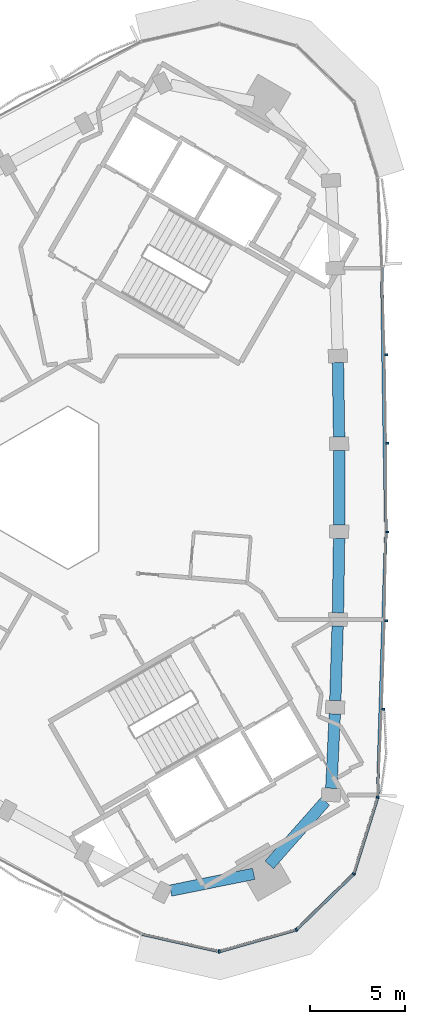
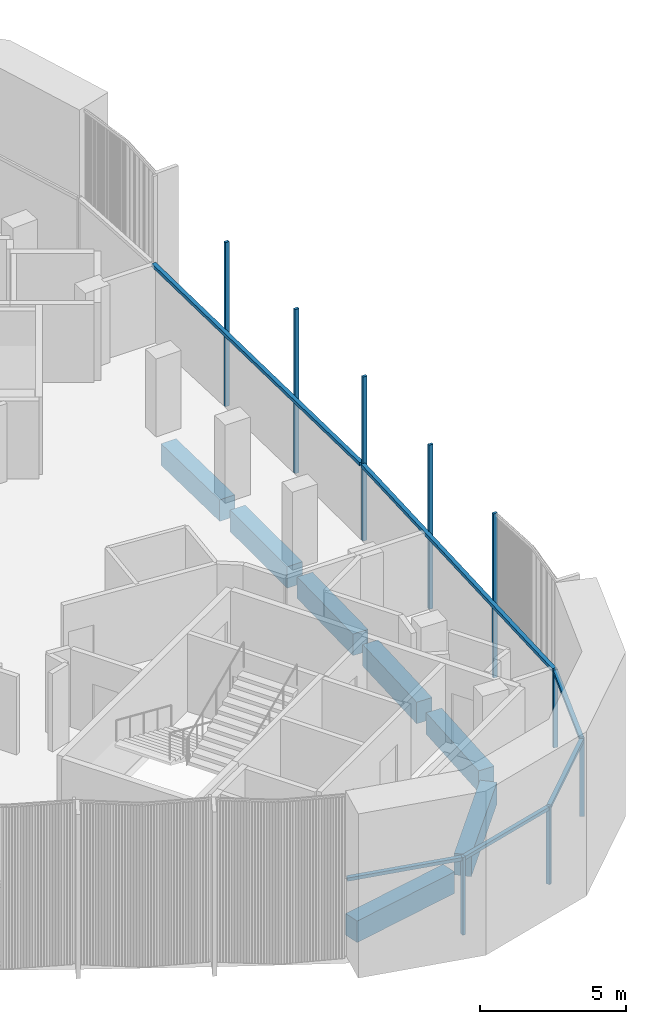
# One storey, part 3 of 12: 15 members, 7 beams, 2 elements without a shape of their own.
"""IFC4 building model written with IfcOpenShell, lengths in metres."""

from ifc_helpers import new_model, si_unit, direction, frame, origin, origin_2d, place, context, subcontext, project, spatial, rectangle, extrude, material, material_profile, profile_set, type_object, element, aggregate, save


model = new_model("IFC4")

# Units and contexts
model_context = context("Model", 3, precision=1e-05, world=origin(), true_north=direction((0.0, 1.0)))
body_context = subcontext(model_context, "Body", "Model", "MODEL_VIEW")
ifc_project = project(units=[si_unit("LENGTHUNIT", "METRE"), si_unit("AREAUNIT", "SQUARE_METRE"), si_unit("VOLUMEUNIT", "CUBIC_METRE"), si_unit("PLANEANGLEUNIT", "RADIAN"), si_unit("MASSUNIT", "GRAM", prefix="KILO")], contexts=[model_context])

# Site, building, storey
site_placement = place(None, origin())
site = spatial("IfcSite", under=ifc_project, at=site_placement, CompositionType="ELEMENT")
building_placement = place(site_placement, origin())
building = spatial("IfcBuilding", under=site, at=building_placement, Name="Tamra Quay Hotel Tower", CompositionType="ELEMENT")
storey_placement = place(building_placement, frame((0.0, 0.0, 273.0)))
storey = spatial("IfcBuildingStorey", under=building, at=storey_placement, Name="L69", CompositionType="ELEMENT", Elevation=273.0)

# Curtain wall, members
ifc_material_1 = material(Name="Aluminium 6063 anodised dark grey", Category="aluminium")
curtain_wall_type_1 = type_object("IfcCurtainWallType", Name="CW1 CURTAIN WALL", PredefinedType="NOTDEFINED", material=ifc_material_1)
curtain_wall_1_placement = place(storey_placement, origin())
curtain_wall_1 = element("IfcCurtainWall", 1, at=curtain_wall_1_placement, inside=storey, type_object=curtain_wall_type_1, Name="CW1 east face L69", PredefinedType="NOTDEFINED")
ifc_material_profile_1 = material_profile(ifc_material_1, rectangle(XDim=0.159912109375, YDim=0.10009765625, at=origin_2d()), Name="MULLION 100X160")
ifc_profile_set_1 = profile_set([ifc_material_profile_1], Name="Aluminium 6063 anodised dark grey")
member_type_1 = type_object("IfcMemberType", Name="MULLION CW1 Z6", PredefinedType="MULLION", material=ifc_profile_set_1)
member_1_placement = place(storey_placement, frame((17.648681640625, -16.25146484375, 0.0), z_axis=(0.0, 0.0, 1.0), x_axis=(0.984739923452, -0.174032419852, 0.0)))
member_1 = element("IfcMember", 2, at=member_1_placement, type_object=member_type_1, Name="CW1 mullion L69.E.1", PredefinedType="MULLION", context=body_context, shape_type="SweptSolid", body=[
    extrude(rectangle(XDim=0.159912109375, YDim=0.10009765625, at=origin_2d()), origin(), (0.0, 0.0, 1.0), 3.25),
])
member_2_placement = place(storey_placement, frame((17.9462890625, -11.613037109375, 0.0), z_axis=(0.0, 0.0, 1.0), x_axis=(0.999237934682, -0.039032677233, 0.0)))
member_2 = element("IfcMember", 3, at=member_2_placement, type_object=member_type_1, Name="CW1 mullion L69.E.2", PredefinedType="MULLION", context=body_context, shape_type="SweptSolid", body=[
    extrude(rectangle(XDim=0.159912109375, YDim=0.10009765625, at=origin_2d()), origin(), (0.0, 0.0, 1.0), 6.85009765625),
])
member_3_placement = place(storey_placement, frame((18.09130859375, -6.969970703125, 0.0), z_axis=(0.0, 0.0, 1.0), x_axis=(0.999725291112, -0.023438052626, 0.0)))
member_3 = element("IfcMember", 4, at=member_3_placement, type_object=member_type_1, Name="CW1 mullion L69.E.3", PredefinedType="MULLION", context=body_context, shape_type="SweptSolid", body=[
    extrude(rectangle(XDim=0.159912109375, YDim=0.10009765625, at=origin_2d()), origin(), (0.0, 0.0, 1.0), 6.85009765625),
])
member_4_placement = place(storey_placement, frame((18.1640625, -2.323486328125, 0.0), z_axis=(0.0, 0.0, 1.0), x_axis=(0.999969449151, -0.007816697755, 0.0)))
member_4 = element("IfcMember", 5, at=member_4_placement, type_object=member_type_1, Name="CW1 mullion L69.E.4", PredefinedType="MULLION", context=body_context, shape_type="SweptSolid", body=[
    extrude(rectangle(XDim=0.159912109375, YDim=0.10009765625, at=origin_2d()), origin(), (0.0, 0.0, 1.0), 6.85009765625),
])
member_5_placement = place(storey_placement, frame((18.1640625, 2.323486328125, 0.0), z_axis=(0.0, 0.0, 1.0), x_axis=(0.999969449151, 0.007816697755, 0.0)))
member_5 = element("IfcMember", 6, at=member_5_placement, type_object=member_type_1, Name="CW1 mullion L69.E.5", PredefinedType="MULLION", context=body_context, shape_type="SweptSolid", body=[
    extrude(rectangle(XDim=0.159912109375, YDim=0.10009765625, at=origin_2d()), origin(), (0.0, 0.0, 1.0), 6.85009765625),
])
member_6_placement = place(storey_placement, frame((18.09130859375, 6.969970703125, 0.0), z_axis=(0.0, 0.0, 1.0), x_axis=(0.999725291112, 0.023438052626, 0.0)))
member_6 = element("IfcMember", 7, at=member_6_placement, type_object=member_type_1, Name="CW1 mullion L69.E.6", PredefinedType="MULLION", context=body_context, shape_type="SweptSolid", body=[
    extrude(rectangle(XDim=0.159912109375, YDim=0.10009765625, at=origin_2d()), origin(), (0.0, 0.0, 1.0), 6.85009765625),
])

curtain_wall_type_2 = type_object("IfcCurtainWallType", Name="CW3 CURTAIN WALL", PredefinedType="NOTDEFINED", material=ifc_material_1)
curtain_wall_2_placement = place(storey_placement, origin())
curtain_wall_2 = element("IfcCurtainWall", 8, at=curtain_wall_2_placement, inside=storey, type_object=curtain_wall_type_2, Name="CW3 south-west face L69", PredefinedType="NOTDEFINED")
ifc_material_profile_2 = material_profile(ifc_material_1, rectangle(XDim=0.159912109375, YDim=0.10009765625, at=origin_2d()), Name="MULLION 100X160")
ifc_profile_set_2 = profile_set([ifc_material_profile_2], Name="Aluminium 6063 anodised dark grey")
member_type_2 = type_object("IfcMemberType", Name="MULLION CW3 Z6", PredefinedType="MULLION", material=ifc_profile_set_2)
member_7_placement = place(storey_placement, frame((9.346435546875, -24.32861328125, 0.0), z_axis=(0.0, 0.0, 1.0), x_axis=(0.027468865497, -0.999622659521, 0.0)))
member_7 = element("IfcMember", 9, at=member_7_placement, type_object=member_type_2, Name="CW3 mullion L69.SW.9", PredefinedType="MULLION", context=body_context, shape_type="SweptSolid", body=[
    extrude(rectangle(XDim=0.159912109375, YDim=0.10009765625, at=origin_2d()), origin(), (0.0, 0.0, 1.0), 3.25),
])
member_8_placement = place(storey_placement, frame((13.38671875, -23.1865234375, 0.0), z_axis=(0.0, 0.0, 1.0), x_axis=(0.5, -0.866025403784, 0.0)))
member_8 = element("IfcMember", 10, at=member_8_placement, type_object=member_type_2, Name="CW3 mullion L69.SW.10", PredefinedType="MULLION", context=body_context, shape_type="SweptSolid", body=[
    extrude(rectangle(XDim=0.159912109375, YDim=0.10009765625, at=origin_2d()), origin(), (0.0, 0.0, 1.0), 3.25),
])
member_9_placement = place(storey_placement, frame((16.39599609375, -20.2587890625, 0.0), z_axis=(0.0, 0.0, 1.0), x_axis=(0.851964184595, -0.523600065094, 0.0)))
member_9 = element("IfcMember", 11, at=member_9_placement, type_object=member_type_2, Name="CW3 mullion L69.SW.11", PredefinedType="MULLION", context=body_context, shape_type="SweptSolid", body=[
    extrude(rectangle(XDim=0.159912109375, YDim=0.10009765625, at=origin_2d()), origin(), (0.0, 0.0, 1.0), 3.25),
])

# Beams
ifc_material_2 = material(Name="Concrete M60", Category="concrete")
ifc_material_profile_3 = material_profile(ifc_material_2, rectangle(XDim=0.60009765625, YDim=0.89990234375, at=origin_2d()), Name="SPANDREL BEAM RC 600x900")
ifc_profile_set_3 = profile_set([ifc_material_profile_3], Name="Concrete M60")
beam_type = type_object("IfcBeamType", Name="SPANDREL BEAM RC 600x900", PredefinedType="SPANDREL", material=ifc_profile_set_3)
beam_1_placement = place(storey_placement, frame((15.218994140625, -15.767333984375, -0.800048828125), z_axis=(0.04680507522, 0.998904041905, 0.0), x_axis=(-0.998904041905, 0.04680507522, 0.0)))
element("IfcBeam", 12, at=beam_1_placement, inside=storey, type_object=beam_type, Name="BM-SP6-000-L69", PredefinedType="SPANDREL", context=body_context, shape_type="SweptSolid", body=[
    extrude(rectangle(XDim=0.60009765625, YDim=0.89990234375, at=origin_2d()), origin(), (0.0, 0.0, 1.0), 3.906982421875),
])
beam_2_placement = place(storey_placement, frame((15.42919921875, -11.165283203125, -0.800048828125), z_axis=(0.031240604276, 0.999511893198, 0.0), x_axis=(-0.999511893198, 0.031240604276, 0.0)))
element("IfcBeam", 13, at=beam_2_placement, inside=storey, type_object=beam_type, Name="BM-SP6-001-L69", PredefinedType="SPANDREL", context=body_context, shape_type="SweptSolid", body=[
    extrude(rectangle(XDim=0.60009765625, YDim=0.89990234375, at=origin_2d()), origin(), (0.0, 0.0, 1.0), 3.907470703125),
])
beam_3_placement = place(storey_placement, frame((15.567626953125, -6.559814453125, -0.800048828125), z_axis=(0.015623093001, 0.999877952035, 0.0), x_axis=(-0.999877952035, 0.015623093001, 0.0)))
element("IfcBeam", 14, at=beam_3_placement, inside=storey, type_object=beam_type, Name="BM-SP6-002-L69", PredefinedType="SPANDREL", context=body_context, shape_type="SweptSolid", body=[
    extrude(rectangle(XDim=0.60009765625, YDim=0.89990234375, at=origin_2d()), origin(), (0.0, 0.0, 1.0), 3.90673828125),
])
beam_4_placement = place(storey_placement, frame((15.634033203125, -1.95361328125, -0.800048828125), z_axis=(0.0, 1.0, 0.0), x_axis=(-1.0, 0.0, 0.0)))
element("IfcBeam", 15, at=beam_4_placement, inside=storey, type_object=beam_type, Name="BM-SP6-003-L69", PredefinedType="SPANDREL", context=body_context, shape_type="SweptSolid", body=[
    extrude(rectangle(XDim=0.60009765625, YDim=0.89990234375, at=origin_2d()), origin(), (0.0, 0.0, 1.0), 3.9072265625),
])
beam_5_placement = place(storey_placement, frame((15.628662109375, 2.653564453125, -0.800048828125), z_axis=(-0.015623093001, 0.999877952035, 0.0), x_axis=(-0.999877952035, -0.015623093001, 0.0)))
element("IfcBeam", 16, at=beam_5_placement, inside=storey, type_object=beam_type, Name="BM-SP6-004-L69", PredefinedType="SPANDREL", context=body_context, shape_type="SweptSolid", body=[
    extrude(rectangle(XDim=0.60009765625, YDim=0.89990234375, at=origin_2d()), origin(), (0.0, 0.0, 1.0), 3.90673828125),
])
beam_6_placement = place(storey_placement, frame((6.79345703125, -21.1357421875, -0.800048828125), z_axis=(0.980114952618, 0.198430541133, 0.0), x_axis=(-0.198430541133, 0.980114952618, 0.0)))
element("IfcBeam", 17, at=beam_6_placement, inside=storey, type_object=beam_type, Name="BM-SP6-025-L69", PredefinedType="SPANDREL", context=body_context, shape_type="SweptSolid", body=[
    extrude(rectangle(XDim=0.60009765625, YDim=0.89990234375, at=origin_2d()), origin(), (0.0, 0.0, 1.0), 4.441650390625),
])
beam_7_placement = place(storey_placement, frame((11.96728515625, -19.781005859375, -0.800048828125), z_axis=(0.661856103448, 0.749630908066, 0.0), x_axis=(-0.749630908066, 0.661856103448, 0.0)))
element("IfcBeam", 18, at=beam_7_placement, inside=storey, type_object=beam_type, Name="BM-SP6-026-L69", PredefinedType="SPANDREL", context=body_context, shape_type="SweptSolid", body=[
    extrude(rectangle(XDim=0.60009765625, YDim=0.89990234375, at=origin_2d()), origin(), (0.0, 0.0, 1.0), 4.44189453125),
])

# Member
ifc_material_profile_4 = material_profile(ifc_material_1, rectangle(XDim=0.159912109375, YDim=0.139892578125, at=origin_2d()), Name="TRANSOM 160X140")
ifc_profile_set_4 = profile_set([ifc_material_profile_4], Name="Aluminium 6063 anodised dark grey")
member_type_3 = type_object("IfcMemberType", Name="TRANSOM CW1 Z6", PredefinedType="USERDEFINED", material=ifc_profile_set_4)
member_10_placement = place(storey_placement, frame((17.651123046875, -16.201416015625, 3.179931640625), z_axis=(0.031233650571, 0.999512110518, 0.0), x_axis=(-0.999512110518, 0.031233650571, 0.0)))
member_10 = element("IfcMember", 19, at=member_10_placement, type_object=member_type_3, Name="CW1 transom L69.E.1", ObjectType="TRANSOM", PredefinedType="USERDEFINED", context=body_context, shape_type="SweptSolid", body=[
    extrude(rectangle(XDim=0.159912109375, YDim=0.139892578125, at=origin_2d()), origin(), (0.0, 0.0, 1.0), 13.83544921875),
])

member_11_placement = place(storey_placement, frame((18.083984375, -2.27294921875, 3.179931640625), z_axis=(-0.015617579664, 0.999878038165, 0.0), x_axis=(-0.999878038165, -0.015617579664, 0.0)))
member_11 = element("IfcMember", 20, at=member_11_placement, type_object=member_type_3, Name="CW1 transom L69.E.4", ObjectType="TRANSOM", PredefinedType="USERDEFINED", context=body_context, shape_type="SweptSolid", body=[
    extrude(rectangle(XDim=0.159912109375, YDim=0.139892578125, at=origin_2d()), origin(), (0.0, 0.0, 1.0), 13.834716796875),
])

aggregate(curtain_wall_1, [member_1, member_10, member_2, member_3, member_4, member_11, member_5, member_6])

ifc_material_profile_5 = material_profile(ifc_material_1, rectangle(XDim=0.159912109375, YDim=0.139892578125, at=origin_2d()), Name="TRANSOM 160X140")
ifc_profile_set_5 = profile_set([ifc_material_profile_5], Name="Aluminium 6063 anodised dark grey")
member_type_4 = type_object("IfcMemberType", Name="TRANSOM CW3 Z6", PredefinedType="USERDEFINED", material=ifc_profile_set_5)
member_12_placement = place(storey_placement, frame((5.298583984375, -23.4208984375, 3.179931640625), z_axis=(0.975771819949, -0.21879066569, 0.0), x_axis=(0.21879066569, 0.975771819949, 0.0)))
member_12 = element("IfcMember", 21, at=member_12_placement, type_object=member_type_4, Name="CW3 transom L69.SW.8", ObjectType="TRANSOM", PredefinedType="USERDEFINED", context=body_context, shape_type="SweptSolid", body=[
    extrude(rectangle(XDim=0.159912109375, YDim=0.139892578125, at=origin_2d()), origin(), (0.0, 0.0, 1.0), 4.0986328125),
])

member_13_placement = place(storey_placement, frame((9.394775390625, -24.315185546875, 3.179931640625), z_axis=(0.962266689751, 0.272108099467, 0.0), x_axis=(-0.272108099467, 0.962266689751, 0.0)))
member_13 = element("IfcMember", 22, at=member_13_placement, type_object=member_type_4, Name="CW3 transom L69.SW.9", ObjectType="TRANSOM", PredefinedType="USERDEFINED", context=body_context, shape_type="SweptSolid", body=[
    extrude(rectangle(XDim=0.159912109375, YDim=0.139892578125, at=origin_2d()), origin(), (0.0, 0.0, 1.0), 4.098388671875),
])

member_14_placement = place(storey_placement, frame((13.422607421875, -23.151611328125, 3.179931640625), z_axis=(0.716720298204, 0.697360748926, 0.0), x_axis=(-0.697360748926, 0.716720298204, 0.0)))
member_14 = element("IfcMember", 23, at=member_14_placement, type_object=member_type_4, Name="CW3 transom L69.SW.10", ObjectType="TRANSOM", PredefinedType="USERDEFINED", context=body_context, shape_type="SweptSolid", body=[
    extrude(rectangle(XDim=0.159912109375, YDim=0.139892578125, at=origin_2d()), origin(), (0.0, 0.0, 1.0), 4.0986328125),
])

member_15_placement = place(storey_placement, frame((16.410888671875, -20.2109375, 3.179931640625), z_axis=(0.298373352037, 0.954449235315, 0.0), x_axis=(-0.954449235315, 0.298373352037, 0.0)))
member_15 = element("IfcMember", 24, at=member_15_placement, type_object=member_type_4, Name="CW3 transom L69.SW.11", ObjectType="TRANSOM", PredefinedType="USERDEFINED", context=body_context, shape_type="SweptSolid", body=[
    extrude(rectangle(XDim=0.159912109375, YDim=0.139892578125, at=origin_2d()), origin(), (0.0, 0.0, 1.0), 4.0986328125),
])

aggregate(curtain_wall_2, [member_12, member_7, member_13, member_8, member_14, member_9, member_15])

save(model, "model.ifc")
